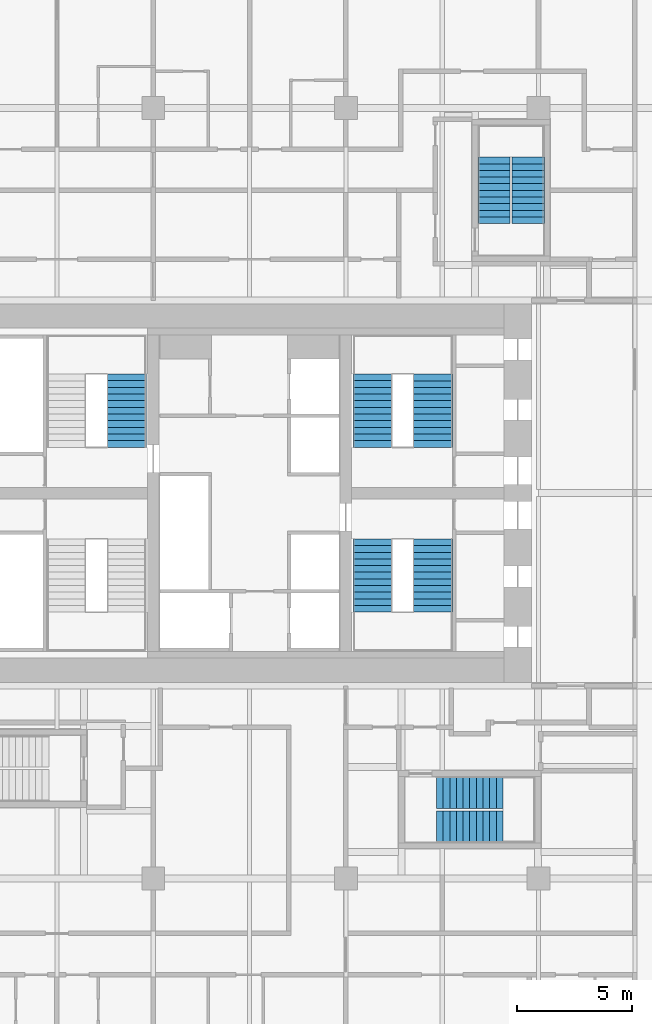
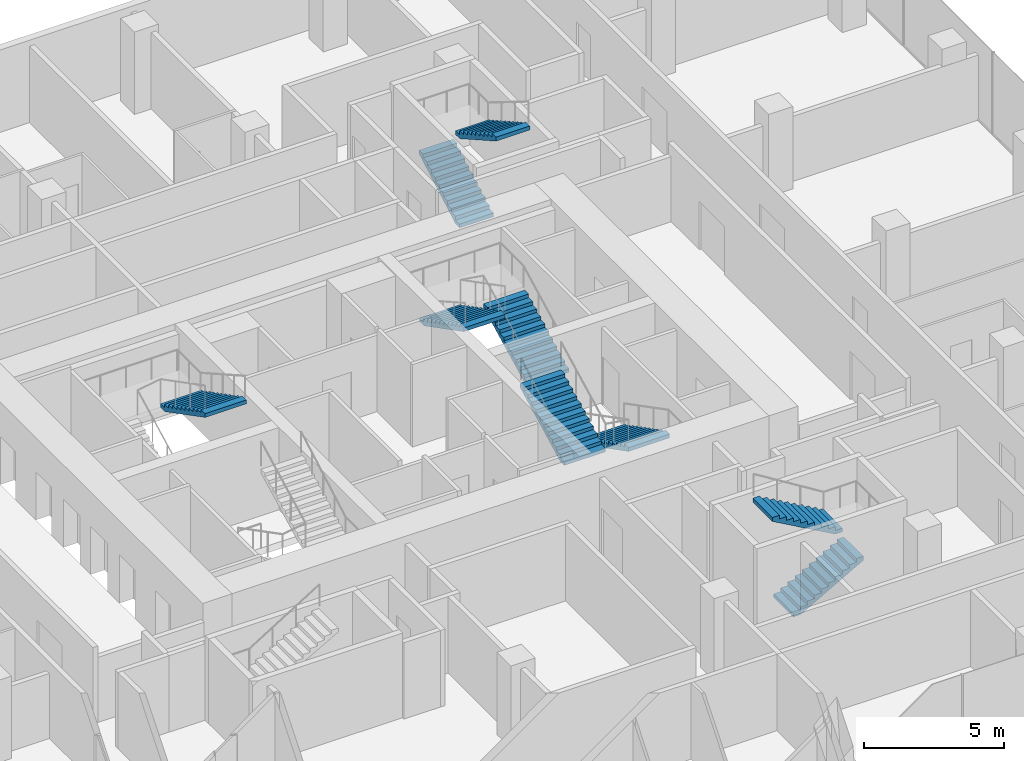
# One storey, part 25 of 27: 9 stair flights, 5 elements without a shape of their own.
"""IFC4 building model written with IfcOpenShell, lengths in metres."""

from ifc_helpers import new_model, si_unit, direction, frame, origin, place, context, subcontext, project, spatial, polyline, outline, extrude, material, type_object, element, aggregate, save


model = new_model("IFC4")

# Units and contexts
model_context = context("Model", 3, precision=1e-05, world=origin(), true_north=direction((0.0, 1.0)))
body_context = subcontext(model_context, "Body", "Model", "MODEL_VIEW")
ifc_project = project(units=[si_unit("LENGTHUNIT", "METRE"), si_unit("AREAUNIT", "SQUARE_METRE"), si_unit("VOLUMEUNIT", "CUBIC_METRE"), si_unit("PLANEANGLEUNIT", "RADIAN"), si_unit("MASSUNIT", "GRAM", prefix="KILO")], contexts=[model_context])

# Site, building, storey
site_placement = place(None, origin())
site = spatial("IfcSite", under=ifc_project, at=site_placement, CompositionType="ELEMENT")
building_placement = place(site_placement, origin())
building = spatial("IfcBuilding", under=site, at=building_placement, Name="Marenta Gate Hotel Tower", CompositionType="ELEMENT")
storey_placement = place(building_placement, frame((0.0, 0.0, 36.5)))
storey = spatial("IfcBuildingStorey", under=building, at=storey_placement, Name="L06", CompositionType="ELEMENT", Elevation=36.5)

# Stair, stair flight
ifc_material_1 = material(Name="Concrete C40", Category="concrete")
stair_type_1 = type_object("IfcStairType", Name="Core exit stair 1700 wide", PredefinedType="HALF_TURN_STAIR", material=ifc_material_1)
stair_1_placement = place(storey_placement, origin())
stair_1 = element("IfcStair", 1, at=stair_1_placement, inside=storey, type_object=stair_type_1, Name="Exit stair 2", PredefinedType="HALF_TURN_STAIR")
ifc_material_2 = material(Name="Concrete C40", Category="concrete")
stair_flight_type_1 = type_object("IfcStairFlightType", Name="Core stair flight 1700 riser 150.0 going 290", PredefinedType="STRAIGHT", material=ifc_material_2)
stair_flight_1_placement = place(storey_placement, frame((-5.35009765625, 13.590087890625, 1.800048828125), z_axis=(0.0, 0.0, 1.0), x_axis=(0.0, -1.0, 0.0)))
stair_flight_1 = element("IfcStairFlight", 2, at=stair_flight_1_placement, type_object=stair_flight_type_1, Name="ST2 flight 2", NumberOfRisers=12, NumberOfTreads=11, PredefinedType="STRAIGHT", RiserHeight=0.15, TreadLength=0.29, context=body_context, shape_type="SweptSolid", body=[
    extrude(outline(polyline([(0.0, 0.0), (0.0, 0.14990234375), (0.2900390625, 0.14990234375), (0.2900390625, 0.300048828125), (0.580078125, 0.300048828125), (0.580078125, 0.449951171875), (0.8701171875, 0.449951171875), (0.8701171875, 0.60009765625), (1.159912109375, 0.60009765625), (1.159912109375, 0.75), (1.449951171875, 0.75), (1.449951171875, 0.89990234375), (1.739990234375, 0.89990234375), (1.739990234375, 1.050048828125), (2.030029296875, 1.050048828125), (2.030029296875, 1.199951171875), (2.320068359375, 1.199951171875), (2.320068359375, 1.35009765625), (2.610107421875, 1.35009765625), (2.610107421875, 1.5), (2.89990234375, 1.5), (2.89990234375, 1.64990234375), (3.18994140625, 1.64990234375), (3.18994140625, 1.800048828125), (3.18994140625, 1.481201171875), (0.326171875, 0.0), (0.0, 0.0)])), frame((0.0, 0.85009765625, 0.0), z_axis=(0.0, -1.0, 0.0), x_axis=(1.0, 0.0, 0.0)), (0.0, 0.0, 1.0), 1.699951171875),
])
aggregate(stair_1, [stair_flight_1])

# Stair, stair flights
stair_2_placement = place(storey_placement, origin())
stair_2 = element("IfcStair", 3, at=stair_2_placement, inside=storey, type_object=stair_type_1, Name="Exit stair 3", PredefinedType="HALF_TURN_STAIR")
stair_flight_2_placement = place(storey_placement, frame((8.0, 6.39990234375, 0.0), z_axis=(0.0, 0.0, 1.0), x_axis=(0.0, -1.0, 0.0)))
stair_flight_2 = element("IfcStairFlight", 4, at=stair_flight_2_placement, type_object=stair_flight_type_1, Name="ST3 flight 1", NumberOfRisers=12, NumberOfTreads=11, PredefinedType="STRAIGHT", RiserHeight=0.15, TreadLength=0.29, context=body_context, shape_type="SweptSolid", body=[
    extrude(outline(polyline([(0.0, 0.0), (0.0, 0.14990234375), (0.2900390625, 0.14990234375), (0.2900390625, 0.300048828125), (0.580078125, 0.300048828125), (0.580078125, 0.449951171875), (0.8701171875, 0.449951171875), (0.8701171875, 0.60009765625), (1.159912109375, 0.60009765625), (1.159912109375, 0.75), (1.449951171875, 0.75), (1.449951171875, 0.89990234375), (1.739990234375, 0.89990234375), (1.739990234375, 1.050048828125), (2.030029296875, 1.050048828125), (2.030029296875, 1.199951171875), (2.320068359375, 1.199951171875), (2.320068359375, 1.35009765625), (2.610107421875, 1.35009765625), (2.610107421875, 1.5), (2.89990234375, 1.5), (2.89990234375, 1.64990234375), (3.18994140625, 1.64990234375), (3.18994140625, 1.800048828125), (3.18994140625, 1.481201171875), (0.326171875, 0.0), (0.0, 0.0)])), frame((0.0, 0.85009765625, 0.0), z_axis=(0.0, -1.0, 0.0), x_axis=(1.0, 0.0, 0.0)), (0.0, 0.0, 1.0), 1.699951171875),
])
stair_flight_3_placement = place(storey_placement, frame((5.35009765625, 3.2099609375, 1.800048828125), z_axis=(0.0, 0.0, 1.0), x_axis=(0.0, 1.0, 0.0)))
stair_flight_3 = element("IfcStairFlight", 5, at=stair_flight_3_placement, type_object=stair_flight_type_1, Name="ST3 flight 2", NumberOfRisers=12, NumberOfTreads=11, PredefinedType="STRAIGHT", RiserHeight=0.15, TreadLength=0.29, context=body_context, shape_type="SweptSolid", body=[
    extrude(outline(polyline([(0.0, 0.0), (0.0, 0.14990234375), (0.2900390625, 0.14990234375), (0.2900390625, 0.300048828125), (0.580078125, 0.300048828125), (0.580078125, 0.449951171875), (0.8701171875, 0.449951171875), (0.8701171875, 0.60009765625), (1.159912109375, 0.60009765625), (1.159912109375, 0.75), (1.449951171875, 0.75), (1.449951171875, 0.89990234375), (1.739990234375, 0.89990234375), (1.739990234375, 1.050048828125), (2.030029296875, 1.050048828125), (2.030029296875, 1.199951171875), (2.320068359375, 1.199951171875), (2.320068359375, 1.35009765625), (2.610107421875, 1.35009765625), (2.610107421875, 1.5), (2.89990234375, 1.5), (2.89990234375, 1.64990234375), (3.18994140625, 1.64990234375), (3.18994140625, 1.800048828125), (3.18994140625, 1.481201171875), (0.326171875, 0.0), (0.0, 0.0)])), frame((0.0, 0.85009765625, 0.0), z_axis=(0.0, -1.0, 0.0), x_axis=(1.0, 0.0, 0.0)), (0.0, 0.0, 1.0), 1.699951171875),
])
aggregate(stair_2, [stair_flight_2, stair_flight_3])

stair_3_placement = place(storey_placement, origin())
stair_3 = element("IfcStair", 6, at=stair_3_placement, inside=storey, type_object=stair_type_1, Name="Exit stair 4", PredefinedType="HALF_TURN_STAIR")
stair_flight_4_placement = place(storey_placement, frame((8.0, 10.39990234375, 0.0), z_axis=(0.0, 0.0, 1.0), x_axis=(0.0, 1.0, 0.0)))
stair_flight_4 = element("IfcStairFlight", 7, at=stair_flight_4_placement, type_object=stair_flight_type_1, Name="ST4 flight 1", NumberOfRisers=12, NumberOfTreads=11, PredefinedType="STRAIGHT", RiserHeight=0.15, TreadLength=0.29, context=body_context, shape_type="SweptSolid", body=[
    extrude(outline(polyline([(0.0, 0.0), (0.0, 0.14990234375), (0.2900390625, 0.14990234375), (0.2900390625, 0.300048828125), (0.580078125, 0.300048828125), (0.580078125, 0.449951171875), (0.8701171875, 0.449951171875), (0.8701171875, 0.60009765625), (1.159912109375, 0.60009765625), (1.159912109375, 0.75), (1.449951171875, 0.75), (1.449951171875, 0.89990234375), (1.739990234375, 0.89990234375), (1.739990234375, 1.050048828125), (2.030029296875, 1.050048828125), (2.030029296875, 1.199951171875), (2.320068359375, 1.199951171875), (2.320068359375, 1.35009765625), (2.610107421875, 1.35009765625), (2.610107421875, 1.5), (2.89990234375, 1.5), (2.89990234375, 1.64990234375), (3.18994140625, 1.64990234375), (3.18994140625, 1.800048828125), (3.18994140625, 1.481201171875), (0.326171875, 0.0), (0.0, 0.0)])), frame((0.0, 0.85009765625, 0.0), z_axis=(0.0, -1.0, 0.0), x_axis=(1.0, 0.0, 0.0)), (0.0, 0.0, 1.0), 1.699951171875),
])
stair_flight_5_placement = place(storey_placement, frame((5.35009765625, 13.590087890625, 1.800048828125), z_axis=(0.0, 0.0, 1.0), x_axis=(0.0, -1.0, 0.0)))
stair_flight_5 = element("IfcStairFlight", 8, at=stair_flight_5_placement, type_object=stair_flight_type_1, Name="ST4 flight 2", NumberOfRisers=12, NumberOfTreads=11, PredefinedType="STRAIGHT", RiserHeight=0.15, TreadLength=0.29, context=body_context, shape_type="SweptSolid", body=[
    extrude(outline(polyline([(0.0, 0.0), (0.0, 0.14990234375), (0.2900390625, 0.14990234375), (0.2900390625, 0.300048828125), (0.580078125, 0.300048828125), (0.580078125, 0.449951171875), (0.8701171875, 0.449951171875), (0.8701171875, 0.60009765625), (1.159912109375, 0.60009765625), (1.159912109375, 0.75), (1.449951171875, 0.75), (1.449951171875, 0.89990234375), (1.739990234375, 0.89990234375), (1.739990234375, 1.050048828125), (2.030029296875, 1.050048828125), (2.030029296875, 1.199951171875), (2.320068359375, 1.199951171875), (2.320068359375, 1.35009765625), (2.610107421875, 1.35009765625), (2.610107421875, 1.5), (2.89990234375, 1.5), (2.89990234375, 1.64990234375), (3.18994140625, 1.64990234375), (3.18994140625, 1.800048828125), (3.18994140625, 1.481201171875), (0.326171875, 0.0), (0.0, 0.0)])), frame((0.0, 0.85009765625, 0.0), z_axis=(0.0, -1.0, 0.0), x_axis=(1.0, 0.0, 0.0)), (0.0, 0.0, 1.0), 1.699951171875),
])
aggregate(stair_3, [stair_flight_4, stair_flight_5])

ifc_material_3 = material(Name="Concrete C40", Category="concrete")
stair_type_2 = type_object("IfcStairType", Name="Remote exit stair 1400 wide", PredefinedType="HALF_TURN_STAIR", material=ifc_material_3)
stair_4_placement = place(storey_placement, origin())
stair_4 = element("IfcStair", 9, at=stair_4_placement, inside=storey, type_object=stair_type_2, Name="Exit stair RS-Z1-1", PredefinedType="HALF_TURN_STAIR")
ifc_material_4 = material(Name="Concrete C40", Category="concrete")
stair_flight_type_2 = type_object("IfcStairFlightType", Name="Remote stair flight 1400 riser 163.6 going 290", PredefinedType="STRAIGHT", material=ifc_material_4)
stair_flight_6_placement = place(storey_placement, frame((8.14990234375, -6.14990234375, 0.0), z_axis=(0.0, 0.0, 1.0), x_axis=(1.0, 0.0, 0.0)))
stair_flight_6 = element("IfcStairFlight", 10, at=stair_flight_6_placement, type_object=stair_flight_type_2, Name="RS-Z1-1 flight 1", NumberOfRisers=11, NumberOfTreads=10, PredefinedType="STRAIGHT", RiserHeight=0.163636, TreadLength=0.29, context=body_context, shape_type="SweptSolid", body=[
    extrude(outline(polyline([(0.0, 0.0), (0.0, 0.16357421875), (0.2900390625, 0.16357421875), (0.2900390625, 0.327392578125), (0.580078125, 0.327392578125), (0.580078125, 0.490966796875), (0.8701171875, 0.490966796875), (0.8701171875, 0.654541015625), (1.159912109375, 0.654541015625), (1.159912109375, 0.818115234375), (1.449951171875, 0.818115234375), (1.449951171875, 0.98193359375), (1.739990234375, 0.98193359375), (1.739990234375, 1.1455078125), (2.030029296875, 1.1455078125), (2.030029296875, 1.30908203125), (2.320068359375, 1.30908203125), (2.320068359375, 1.47265625), (2.610107421875, 1.47265625), (2.610107421875, 1.636474609375), (2.89990234375, 1.636474609375), (2.89990234375, 1.800048828125), (2.89990234375, 1.46435546875), (0.304931640625, 0.0), (0.0, 0.0)])), frame((0.0, 0.699951171875, 0.0), z_axis=(0.0, -1.0, 0.0), x_axis=(1.0, 0.0, 0.0)), (0.0, 0.0, 1.0), 1.39990234375),
])
stair_flight_7_placement = place(storey_placement, frame((11.050048828125, -4.64990234375, 1.800048828125), z_axis=(0.0, 0.0, 1.0), x_axis=(-1.0, 0.0, 0.0)))
stair_flight_7 = element("IfcStairFlight", 11, at=stair_flight_7_placement, type_object=stair_flight_type_2, Name="RS-Z1-1 flight 2", NumberOfRisers=11, NumberOfTreads=10, PredefinedType="STRAIGHT", RiserHeight=0.163636, TreadLength=0.29, context=body_context, shape_type="SweptSolid", body=[
    extrude(outline(polyline([(0.0, 0.0), (0.0, 0.16357421875), (0.2900390625, 0.16357421875), (0.2900390625, 0.327392578125), (0.580078125, 0.327392578125), (0.580078125, 0.490966796875), (0.8701171875, 0.490966796875), (0.8701171875, 0.654541015625), (1.159912109375, 0.654541015625), (1.159912109375, 0.818115234375), (1.449951171875, 0.818115234375), (1.449951171875, 0.98193359375), (1.739990234375, 0.98193359375), (1.739990234375, 1.1455078125), (2.030029296875, 1.1455078125), (2.030029296875, 1.30908203125), (2.320068359375, 1.30908203125), (2.320068359375, 1.47265625), (2.610107421875, 1.47265625), (2.610107421875, 1.636474609375), (2.89990234375, 1.636474609375), (2.89990234375, 1.800048828125), (2.89990234375, 1.46435546875), (0.304931640625, 0.0), (0.0, 0.0)])), frame((0.0, 0.699951171875, 0.0), z_axis=(0.0, -1.0, 0.0), x_axis=(1.0, 0.0, 0.0)), (0.0, 0.0, 1.0), 1.39990234375),
])
aggregate(stair_4, [stair_flight_6, stair_flight_7])

stair_5_placement = place(storey_placement, origin())
stair_5 = element("IfcStair", 12, at=stair_5_placement, inside=storey, type_object=stair_type_2, Name="Exit stair RS-Z1-4", PredefinedType="HALF_TURN_STAIR")
stair_flight_8_placement = place(storey_placement, frame((10.64990234375, 20.14990234375, 0.0), z_axis=(0.0, 0.0, 1.0), x_axis=(0.0, 1.0, 0.0)))
stair_flight_8 = element("IfcStairFlight", 13, at=stair_flight_8_placement, type_object=stair_flight_type_2, Name="RS-Z1-4 flight 1", NumberOfRisers=11, NumberOfTreads=10, PredefinedType="STRAIGHT", RiserHeight=0.163636, TreadLength=0.29, context=body_context, shape_type="SweptSolid", body=[
    extrude(outline(polyline([(0.0, 0.0), (0.0, 0.16357421875), (0.2900390625, 0.16357421875), (0.2900390625, 0.327392578125), (0.580078125, 0.327392578125), (0.580078125, 0.490966796875), (0.8701171875, 0.490966796875), (0.8701171875, 0.654541015625), (1.159912109375, 0.654541015625), (1.159912109375, 0.818115234375), (1.449951171875, 0.818115234375), (1.449951171875, 0.98193359375), (1.739990234375, 0.98193359375), (1.739990234375, 1.1455078125), (2.030029296875, 1.1455078125), (2.030029296875, 1.30908203125), (2.320068359375, 1.30908203125), (2.320068359375, 1.47265625), (2.610107421875, 1.47265625), (2.610107421875, 1.636474609375), (2.89990234375, 1.636474609375), (2.89990234375, 1.800048828125), (2.89990234375, 1.46435546875), (0.304931640625, 0.0), (0.0, 0.0)])), frame((0.0, 0.699951171875, 0.0), z_axis=(0.0, -1.0, 0.0), x_axis=(1.0, 0.0, 0.0)), (0.0, 0.0, 1.0), 1.39990234375),
])
stair_flight_9_placement = place(storey_placement, frame((12.14990234375, 23.050048828125, 1.800048828125), z_axis=(0.0, 0.0, 1.0), x_axis=(0.0, -1.0, 0.0)))
stair_flight_9 = element("IfcStairFlight", 14, at=stair_flight_9_placement, type_object=stair_flight_type_2, Name="RS-Z1-4 flight 2", NumberOfRisers=11, NumberOfTreads=10, PredefinedType="STRAIGHT", RiserHeight=0.163636, TreadLength=0.29, context=body_context, shape_type="SweptSolid", body=[
    extrude(outline(polyline([(0.0, 0.0), (0.0, 0.16357421875), (0.2900390625, 0.16357421875), (0.2900390625, 0.327392578125), (0.580078125, 0.327392578125), (0.580078125, 0.490966796875), (0.8701171875, 0.490966796875), (0.8701171875, 0.654541015625), (1.159912109375, 0.654541015625), (1.159912109375, 0.818115234375), (1.449951171875, 0.818115234375), (1.449951171875, 0.98193359375), (1.739990234375, 0.98193359375), (1.739990234375, 1.1455078125), (2.030029296875, 1.1455078125), (2.030029296875, 1.30908203125), (2.320068359375, 1.30908203125), (2.320068359375, 1.47265625), (2.610107421875, 1.47265625), (2.610107421875, 1.636474609375), (2.89990234375, 1.636474609375), (2.89990234375, 1.800048828125), (2.89990234375, 1.46435546875), (0.304931640625, 0.0), (0.0, 0.0)])), frame((0.0, 0.699951171875, 0.0), z_axis=(0.0, -1.0, 0.0), x_axis=(1.0, 0.0, 0.0)), (0.0, 0.0, 1.0), 1.39990234375),
])
aggregate(stair_5, [stair_flight_8, stair_flight_9])

save(model, "model.ifc")
